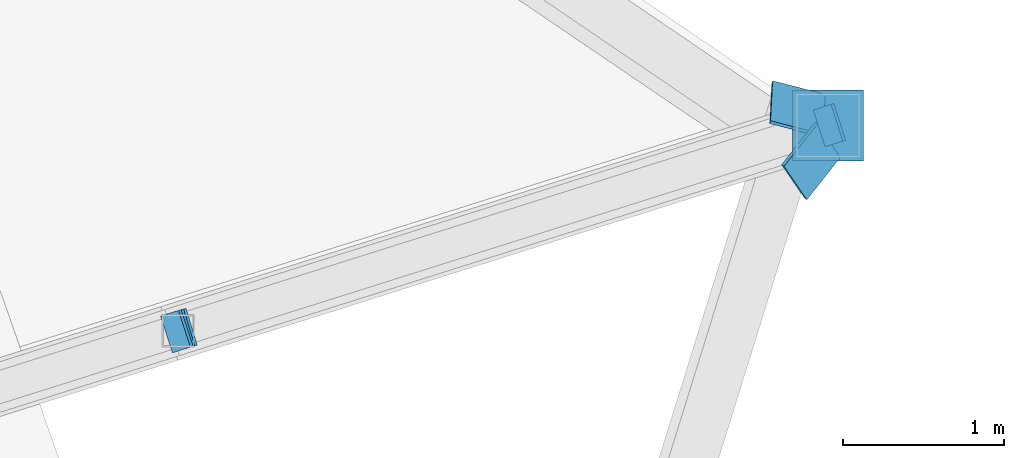
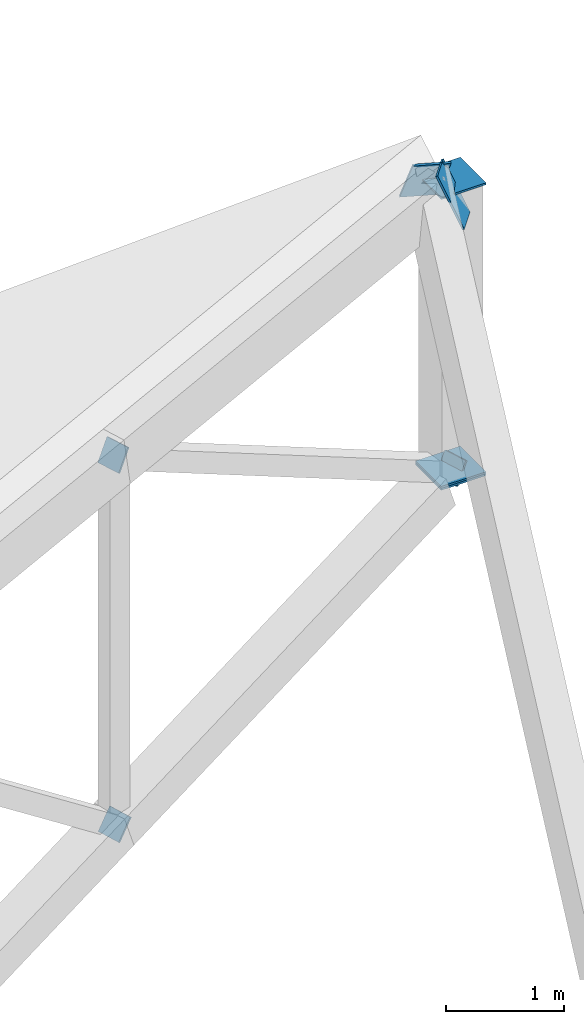
# One storey, part 185 of 188: 8 discrete accessories.
"""IFC4 building model written with IfcOpenShell, lengths in metres."""

import ifcopenshell
import ifcopenshell.guid

model = None  # the IFC model being written
_history = None  # IfcOwnerHistory: only IFC2X3 demands one
_inside = {}  # id of a spatial element -> (the spatial element, [elements in it])
_under = {}  # id of a project, library or spatial element -> (it, [spatial elements below it])
_declared = {}  # id of a project -> (the project, [libraries it declares])
_typed = {}  # id of a type object -> (the type object, [elements of that type])
_made_of = {}  # id of a material, layer set ... -> (it, [elements and type objects made of it])


def new_model(schema):
    """Start an empty IFC model of exactly this schema.

    Asked for "IFC4X3", IfcOpenShell would pick the latest addendum, in which some entities
    have other attributes; the version numbers below select the first issue.
    IFC2X3 requires an IfcOwnerHistory on every rooted entity: one is made here for all.
    """
    global model, _history
    if schema == "IFC4X3":
        model = ifcopenshell.file(schema_version=(4, 3, 0, 0))
    else:
        model = ifcopenshell.file(schema=schema)
    _inside.clear()
    _under.clear()
    _declared.clear()
    _typed.clear()
    _made_of.clear()
    _history = None
    if model.schema == "IFC2X3":
        org = make("IfcOrganization", Name="unknown")
        user = make(
            "IfcPersonAndOrganization",
            ThePerson=make("IfcPerson", FamilyName="unknown"),
            TheOrganization=org,
        )
        app = make(
            "IfcApplication",
            ApplicationDeveloper=org,
            Version="unknown",
            ApplicationFullName="unknown",
            ApplicationIdentifier="unknown",
        )
        _history = make(
            "IfcOwnerHistory",
            OwningUser=user,
            OwningApplication=app,
            ChangeAction="ADDED",
            CreationDate=0,
        )
    return model


def make(cls, **values):
    """One entity of the class cls with the attributes given. An attribute that is None is left unset."""
    return model.create_entity(
        cls, **{name: value for name, value in values.items() if value is not None}
    )


def rooted(cls, **values):
    """An entity with a GlobalId (a new one), such as an element, a storey or a relation."""
    return make(cls, GlobalId=ifcopenshell.guid.new(), OwnerHistory=_history, **values)


def si_unit(unit_type, name, prefix=None):
    """IfcSIUnit, for example si_unit("LENGTHUNIT", "METRE", prefix="MILLI")."""
    return make("IfcSIUnit", UnitType=unit_type, Prefix=prefix, Name=name)


def assignment(units):
    """IfcUnitAssignment: the units of a project."""
    return None if units is None else make("IfcUnitAssignment", Units=units)


def point(xyz):
    """IfcCartesianPoint."""
    return None if xyz is None else make("IfcCartesianPoint", Coordinates=xyz)


def direction(xyz):
    """IfcDirection."""
    return None if xyz is None else make("IfcDirection", DirectionRatios=xyz)


def frame(location, z_axis=None, x_axis=None):
    """IfcAxis2Placement3D, a coordinate frame: its origin and axes. An axis left out is left unset."""
    return make(
        "IfcAxis2Placement3D",
        Location=point(location),
        Axis=direction(z_axis),
        RefDirection=direction(x_axis),
    )


def frame_2d(location, x_axis=None):
    """IfcAxis2Placement2D, a coordinate frame in the plane: its origin and x axis."""
    return make(
        "IfcAxis2Placement2D", Location=point(location), RefDirection=direction(x_axis)
    )


def origin():
    """The frame at (0, 0, 0) with its axes left unset."""
    return frame((0.0, 0.0, 0.0))


def origin_2d():
    """The frame at (0, 0) in the plane with its x axis left unset."""
    return frame_2d((0.0, 0.0))


def place(relative_to, where):
    """IfcLocalPlacement: puts the frame where relative to a parent placement (None: the world)."""
    return make(
        "IfcLocalPlacement", PlacementRelTo=relative_to, RelativePlacement=where
    )


def context(
    kind, dimensions, precision=None, world=None, true_north=None, identifier=None
):
    """IfcGeometricRepresentationContext, for example the 3D "Model" context."""
    return make(
        "IfcGeometricRepresentationContext",
        ContextIdentifier=identifier,
        ContextType=kind,
        CoordinateSpaceDimension=dimensions,
        Precision=precision,
        WorldCoordinateSystem=world,
        TrueNorth=true_north,
    )


def subcontext(parent, identifier, kind, view, scale=None):
    """IfcGeometricRepresentationSubContext, for example "Body" below "Model"."""
    return make(
        "IfcGeometricRepresentationSubContext",
        ContextIdentifier=identifier,
        ContextType=kind,
        ParentContext=parent,
        TargetScale=scale,
        TargetView=view,
    )


def project(units=None, contexts=None):
    """IfcProject with its units and contexts."""
    return rooted(
        "IfcProject",
        Name="project",
        RepresentationContexts=contexts,
        UnitsInContext=assignment(units),
    )


def spatial(cls, under=None, at=None, **own):
    """A site, building, storey or space (cls), placed at a placement, below another one or the project."""
    s = rooted(cls, ObjectPlacement=at, **own)
    if under is not None:
        _under.setdefault(under.id(), (under, []))[1].append(s)
    return s


def profile(cls, at=None, kind="AREA", **sizes):
    """A parametric profile (cls). Its sizes go by their IFC names, for example OverallWidth=200.0."""
    return make(cls, ProfileType=kind, Position=at, **sizes)


def rectangle(**sizes):
    """IfcRectangleProfileDef."""
    return profile("IfcRectangleProfileDef", **sizes)


def extrude(swept, where, along, depth):
    """IfcExtrudedAreaSolid: the profile swept, set in the frame where, extruded along a direction by depth."""
    return make(
        "IfcExtrudedAreaSolid",
        SweptArea=swept,
        Position=where,
        ExtrudedDirection=direction(along),
        Depth=depth,
    )


def shape(context_of_items, identifier, shape_type, items):
    """IfcShapeRepresentation: the items that make up one representation, for example the "Body"."""
    return make(
        "IfcShapeRepresentation",
        ContextOfItems=context_of_items,
        RepresentationIdentifier=identifier,
        RepresentationType=shape_type,
        Items=items,
    )


def material(Name=None, Category=None):
    """IfcMaterial."""
    return make("IfcMaterial", Name=Name, Category=Category)


def material_profile(
    of_material, cross_section, Name=None, Category=None, Priority=None
):
    """IfcMaterialProfile: a cross section and its material."""
    return make(
        "IfcMaterialProfile",
        Name=Name,
        Material=of_material,
        Profile=cross_section,
        Priority=Priority,
        Category=Category,
    )


def profile_set(profiles, Name=None, composite=None):
    """IfcMaterialProfileSet."""
    return make(
        "IfcMaterialProfileSet",
        Name=Name,
        MaterialProfiles=profiles,
        CompositeProfile=composite,
    )


def made_of(thing, what):
    """Note that an element or type object is made of a material, layer set ...; save() writes the relation."""
    if what is not None:
        _made_of.setdefault(what.id(), (what, []))[1].append(thing)
    return thing


def type_object(cls, material=None, **own):
    """A type object (cls), such as IfcWallType, which elements share."""
    return made_of(rooted(cls, **own), material)


def element(
    cls,
    number,
    at=None,
    inside=None,
    cuts=None,
    type_object=None,
    material=None,
    context=None,
    identifier="Body",
    shape_type=None,
    held_by="IfcProductDefinitionShape",
    body=None,
    shapes=None,
    **own,
):
    """One element of the class cls, such as IfcWall. Its Tag is "e" and its number.

    at: its placement. inside: the storey or other place that contains it. cuts: it is an
    opening in that element (IfcRelVoidsElement). A single representation is given by context,
    identifier, shape_type and body (its items); several are given by shapes. held_by: the class
    of the entity that holds the representations. save() writes the other relations.
    """
    e = rooted(cls, Tag="e%d" % number, ObjectPlacement=at, **own)
    if body is not None:
        shapes = [shape(context, identifier, shape_type, body)]
    if shapes is not None:
        e.Representation = make(held_by, Representations=shapes)
    if inside is not None:
        _inside.setdefault(inside.id(), (inside, []))[1].append(e)
    if cuts is not None:
        rooted(
            "IfcRelVoidsElement", RelatingBuildingElement=cuts, RelatedOpeningElement=e
        )
    if type_object is not None:
        _typed.setdefault(type_object.id(), (type_object, []))[1].append(e)
    return made_of(e, material)


def aggregate(whole, parts):
    """IfcRelAggregates: a whole, such as a stair, and the parts it consists of."""
    return rooted("IfcRelAggregates", RelatingObject=whole, RelatedObjects=parts)


def save(model, path):
    """Write the relations noted so far, then the file.

    IfcRelAggregates (storeys below a building ...), IfcRelContainedInSpatialStructure (elements
    in a storey), IfcRelDefinesByType, IfcRelAssociatesMaterial and IfcRelDeclares: one each for
    every whole, place, type object, material and project.
    """
    for whole, parts in _under.values():
        aggregate(whole, parts)
    for where, things in _inside.values():
        rooted(
            "IfcRelContainedInSpatialStructure",
            RelatedElements=things,
            RelatingStructure=where,
        )
    for kind, things in _typed.values():
        rooted("IfcRelDefinesByType", RelatedObjects=things, RelatingType=kind)
    for what, things in _made_of.values():
        rooted("IfcRelAssociatesMaterial", RelatedObjects=things, RelatingMaterial=what)
    for by, libraries in _declared.values():
        rooted("IfcRelDeclares", RelatingContext=by, RelatedDefinitions=libraries)
    model.write(path)


model = new_model("IFC4")

# Units and contexts
model_context = context("Model", 3, precision=1e-05, world=origin(), true_north=direction((0.0, 1.0)))
body_context = subcontext(model_context, "Body", "Model", "MODEL_VIEW")
ifc_project = project(units=[si_unit("LENGTHUNIT", "METRE"), si_unit("AREAUNIT", "SQUARE_METRE"), si_unit("VOLUMEUNIT", "CUBIC_METRE"), si_unit("PLANEANGLEUNIT", "RADIAN"), si_unit("MASSUNIT", "GRAM", prefix="KILO")], contexts=[model_context])

# Site, building, storey
site_placement = place(None, origin())
site = spatial("IfcSite", under=ifc_project, at=site_placement, CompositionType="ELEMENT")
building_placement = place(site_placement, origin())
building = spatial("IfcBuilding", under=site, at=building_placement, Name="Meseta Stadium", CompositionType="ELEMENT")
storey_placement = place(building_placement, frame((0.0, 0.0, 30.0)))
storey = spatial("IfcBuildingStorey", under=building, at=storey_placement, Name="ROOF", CompositionType="ELEMENT", Elevation=30.0)

# Discrete accessories
ifc_material_1 = material(Name="Steel S355", Category="steel")
ifc_material_profile_1 = material_profile(ifc_material_1, rectangle(XDim=0.239990234375, YDim=0.239990234375, at=origin_2d()), Name="PL 240x240")
ifc_profile_set_1 = profile_set([ifc_material_profile_1], Name="Steel S355")
discrete_accessory_type_1 = type_object("IfcDiscreteAccessoryType", Name="End plate 240x240x20", PredefinedType="ANCHORPLATE", material=ifc_profile_set_1)
for number, where, z_axis, x_axis, name in (
    (1, (94.248291015625, 67.02099609375, 5.917724609375), (0.767893080509, 0.231586802058, -0.597250173729), (-0.28874179552, 0.957407006199, 0.0), "End plate of ROOF TRUSS RT-10 diagonal"),
    (2, (94.231689453125, 67.015625, 9.7607421875), (0.830256693859, 0.268612459778, -0.488386290506), (-0.307820285415, 0.951444518554, 0.0), "End plate of ROOF TRUSS RT-10 diagonal"),
):
    element("IfcDiscreteAccessory", number, at=place(storey_placement, frame(where, z_axis=z_axis, x_axis=x_axis)), inside=storey, type_object=discrete_accessory_type_1, Name=name, PredefinedType="ANCHORPLATE", context=body_context, shape_type="SweptSolid", body=[
        extrude(rectangle(XDim=0.239990234375, YDim=0.239990234375, at=origin_2d()), origin(), (0.0, 0.0, 1.0), 0.02001953125),
    ])
discrete_accessory_placement = place(storey_placement, frame((98.291015625, 68.29736328125, 7.424560546875), z_axis=(0.833992921338, 0.265910786513, -0.483474157297), x_axis=(-0.303773534633, 0.952744267711, 0.0)))
element("IfcDiscreteAccessory", 3, at=discrete_accessory_placement, inside=storey, type_object=discrete_accessory_type_1, Name="End plate of ROOF TRUSS RT-10 diagonal", PredefinedType="ANCHORPLATE", context=body_context, shape_type="SweptSolid", body=[
    extrude(rectangle(XDim=0.239990234375, YDim=0.239990234375, at=origin_2d()), origin(), (0.0, 0.0, 1.0), 0.020263671875),
])
ifc_material_2 = material(Name="Steel S355", Category="steel")
ifc_material_profile_2 = material_profile(ifc_material_2, rectangle(XDim=0.340087890625, YDim=0.5400390625, at=origin_2d()), Name="PL 340x540")
ifc_profile_set_2 = profile_set([ifc_material_profile_2], Name="Steel S355")
discrete_accessory_type_2 = type_object("IfcDiscreteAccessoryType", Name="End plate 340x540x20", PredefinedType="ANCHORPLATE", material=ifc_profile_set_2)
for number, where, z_axis, x_axis, name in (
    (4, (98.097900390625, 68.392333984375, 10.424072265625), (0.267715986725, 0.851823594126, 0.450249614038), (-0.963205060167, 0.24813445787, 0.103272953318), "End plate of RIM RING BEAM 10"),
    (5, (98.192138671875, 68.0712890625, 10.44482421875), (-0.745344864379, 0.500969499009, -0.439875657666), (-0.612557151815, -0.775024273672, 0.155277528894), "End plate of RIM RING BEAM 11"),
):
    element("IfcDiscreteAccessory", number, at=place(storey_placement, frame(where, z_axis=z_axis, x_axis=x_axis)), inside=storey, type_object=discrete_accessory_type_2, Name=name, PredefinedType="ANCHORPLATE", context=body_context, shape_type="SweptSolid", body=[
        extrude(rectangle(XDim=0.340087890625, YDim=0.5400390625, at=origin_2d()), origin(), (0.0, 0.0, 1.0), 0.02001953125),
    ])
ifc_material_3 = material(Name="Steel S355", Category="steel")
ifc_material_profile_3 = material_profile(ifc_material_3, rectangle(XDim=0.43994140625, YDim=0.43994140625, at=origin_2d()), Name="PL 440x440")
ifc_profile_set_3 = profile_set([ifc_material_profile_3], Name="Steel S355")
discrete_accessory_type_3 = type_object("IfcDiscreteAccessoryType", Name="End plate 440x440x20", PredefinedType="ANCHORPLATE", material=ifc_profile_set_3)
for number, where, z_axis, x_axis, name in (
    (6, (98.291015625, 68.29736328125, 7.404541015625), (0.0, 0.0, 1.0), (1.0, 0.0, 0.0), "End plate of ROOF TRUSS RT-10 post"),
    (7, (98.291015625, 68.29736328125, 10.424560546875), (0.0, 0.0, 1.0), (1.0, 0.0, 0.0), "End plate of ROOF TRUSS RT-10 post"),
    (8, (98.291015625, 68.29736328125, 7.424560546875), (0.0, 0.0, 1.0), (1.0, 0.0, 0.0), "End plate of ROOF RIM POST RT-10"),
):
    element("IfcDiscreteAccessory", number, at=place(storey_placement, frame(where, z_axis=z_axis, x_axis=x_axis)), inside=storey, type_object=discrete_accessory_type_3, Name=name, PredefinedType="ANCHORPLATE", context=body_context, shape_type="SweptSolid", body=[
        extrude(rectangle(XDim=0.43994140625, YDim=0.43994140625, at=origin_2d()), origin(), (0.0, 0.0, 1.0), 0.02001953125),
    ])

save(model, "model.ifc")
